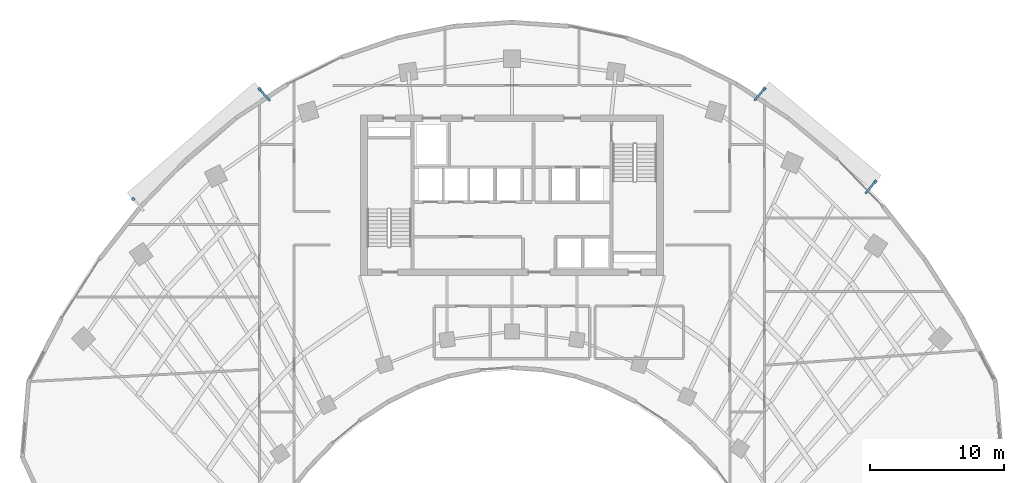
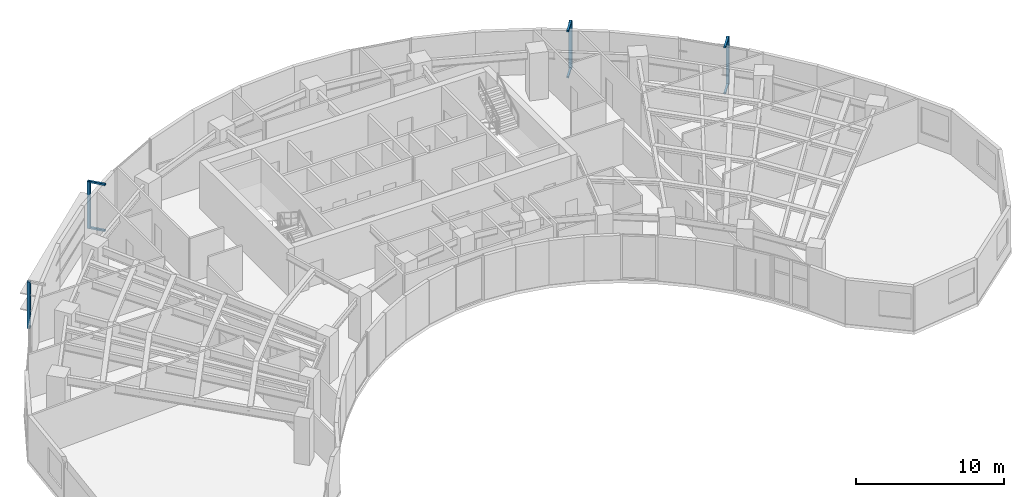
# One storey, part 12 of 14: 10 discrete accessories.
"""IFC4 building model written with IfcOpenShell, lengths in metres."""

from ifc_helpers import new_model, si_unit, direction, frame, origin, origin_2d, place, context, subcontext, project, spatial, rectangle, extrude, source, transform, mapped, material, type_object, type_shapes, element, save


model = new_model("IFC4")

# Units and contexts
model_context = context("Model", 3, precision=1e-05, world=origin(), true_north=direction((0.0, 1.0)))
body_context = subcontext(model_context, "Body", "Model", "MODEL_VIEW")
ifc_project = project(units=[si_unit("LENGTHUNIT", "METRE"), si_unit("AREAUNIT", "SQUARE_METRE"), si_unit("VOLUMEUNIT", "CUBIC_METRE"), si_unit("PLANEANGLEUNIT", "RADIAN"), si_unit("MASSUNIT", "GRAM", prefix="KILO")], contexts=[model_context])

# Site, building, storey
site_placement = place(None, origin())
site = spatial("IfcSite", under=ifc_project, at=site_placement, CompositionType="ELEMENT")
building_placement = place(site_placement, origin())
building = spatial("IfcBuilding", under=site, at=building_placement, Name="Breltana Convention Tower", CompositionType="ELEMENT")
storey_placement = place(building_placement, frame((0.0, 0.0, 99.89990234375)))
storey = spatial("IfcBuildingStorey", under=building, at=storey_placement, Name="L23", CompositionType="ELEMENT", Elevation=99.89990234375)

# Discrete accessories
ifc_material = material(Name="Steel S355", Category="steel")
discrete_accessory_type_1 = type_object("IfcDiscreteAccessoryType", Name="ACC-DSF-BRACKET-150", PredefinedType="BRACKET", material=ifc_material)
shared_shape_1 = source(origin(), body_context, "Body", "SweptSolid", [
    extrude(rectangle(XDim=1.239990234375, YDim=0.14990234375, at=origin_2d()), origin(), (0.0, 0.0, 1.0), 0.139892578125),
])
type_shapes(discrete_accessory_type_1, [shared_shape_1])
for number, where, z_axis, x_axis, name in (
    (1, (29.520751953125, 73.713623046875, -0.15966796875), (0.0, 0.0, 1.0), (-0.656454255701, 0.754365833115, 0.0), "L23 double-skin slab stand-off bracket 1.2B"),
    (2, (29.520751953125, 73.713623046875, 3.650390625), (0.0, 0.0, 1.0), (-0.656454255701, 0.754365833115, 0.0), "L23 double-skin slab stand-off bracket 1.2T"),
    (3, (66.487060546875, 73.735595703125, -0.15966796875), (0.0, 0.0, 1.0), (0.641987488939, 0.766715112702, 0.0), "L23 double-skin slab stand-off bracket 2.1B"),
    (4, (66.487060546875, 73.735595703125, 3.650390625), (0.0, 0.0, 1.0), (0.641987488939, 0.766715112702, 0.0), "L23 double-skin slab stand-off bracket 2.1T"),
    (5, (74.777099609375, 66.794189453125, -0.15966796875), (0.0, 0.0, 1.0), (0.641987488939, 0.766715112702, 0.0), "L23 double-skin slab stand-off bracket 2.2B"),
    (6, (74.777099609375, 66.794189453125, 3.650390625), (0.0, 0.0, 1.0), (0.641987488939, 0.766715112702, 0.0), "L23 double-skin slab stand-off bracket 2.2T"),
):
    element("IfcDiscreteAccessory", number, at=place(storey_placement, frame(where, z_axis=z_axis, x_axis=x_axis)), inside=storey, type_object=discrete_accessory_type_1, Name=name, PredefinedType="BRACKET", context=body_context, shape_type="MappedRepresentation", body=[
        mapped(shared_shape_1, transform((0.0, 0.0, 0.0), scale=1.0)),
    ])
discrete_accessory_type_2 = type_object("IfcDiscreteAccessoryType", Name="ACC-DSF-CARRIER-150", PredefinedType="BRACKET", material=ifc_material)
shared_shape_2 = source(origin(), body_context, "Body", "SweptSolid", [
    extrude(rectangle(XDim=0.219970703125, YDim=0.219970703125, at=origin_2d()), origin(), (0.0, 0.0, 1.0), 3.8701171875),
])
for number, where, z_axis, x_axis, name in (
    (7, (19.712646484375, 65.9208984375, -0.119873046875), (0.0, 0.0, 1.0), (-0.656454255701, 0.754365833115, 0.0), "L23 double-skin outer vertical carrier 1.1"),
    (8, (29.153076171875, 74.135986328125, -0.119873046875), (0.0, 0.0, 1.0), (-0.656454255701, 0.754365833115, 0.0), "L23 double-skin outer vertical carrier 1.2"),
    (9, (66.8466796875, 74.1650390625, -0.119873046875), (0.0, 0.0, 1.0), (0.641987488939, 0.766715112702, 0.0), "L23 double-skin outer vertical carrier 2.1"),
    (10, (75.13671875, 67.2236328125, -0.119873046875), (0.0, 0.0, 1.0), (0.641987488939, 0.766715112702, 0.0), "L23 double-skin outer vertical carrier 2.2"),
):
    element("IfcDiscreteAccessory", number, at=place(storey_placement, frame(where, z_axis=z_axis, x_axis=x_axis)), inside=storey, type_object=discrete_accessory_type_2, Name=name, PredefinedType="BRACKET", context=body_context, shape_type="MappedRepresentation", body=[
        mapped(shared_shape_2, transform((0.0, 0.0, 0.0), scale=1.0)),
    ])

save(model, "model.ifc")
